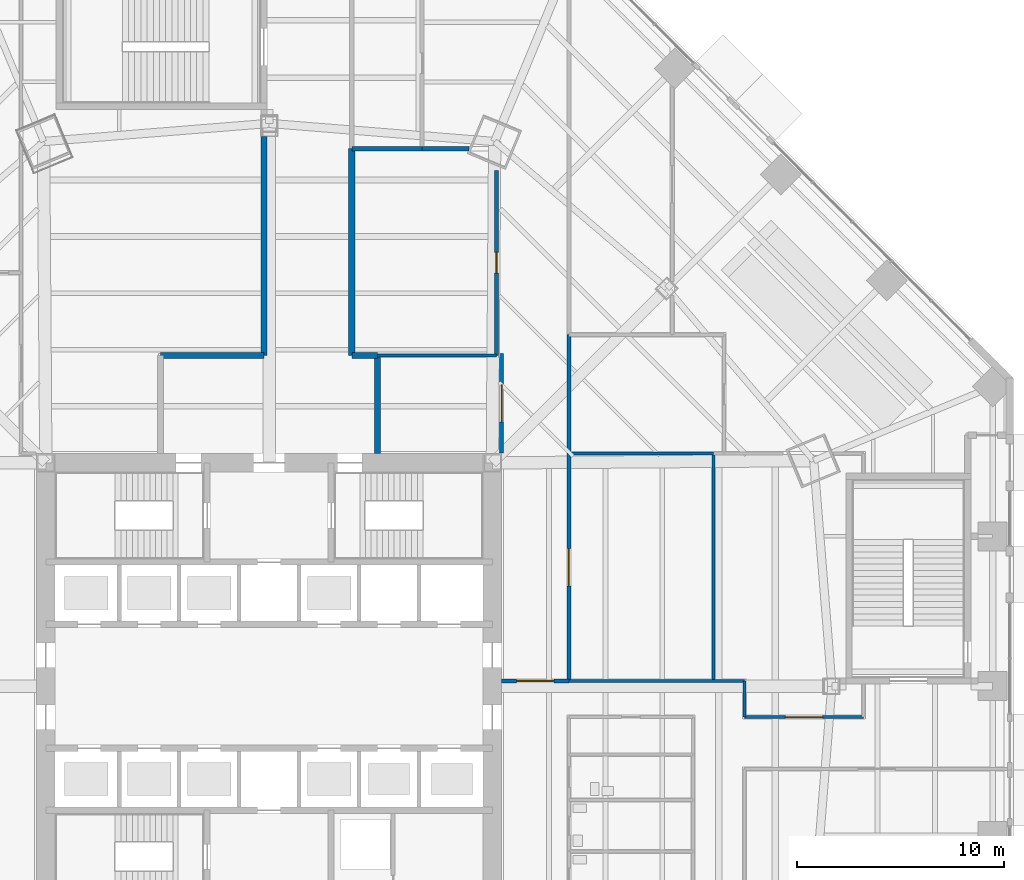
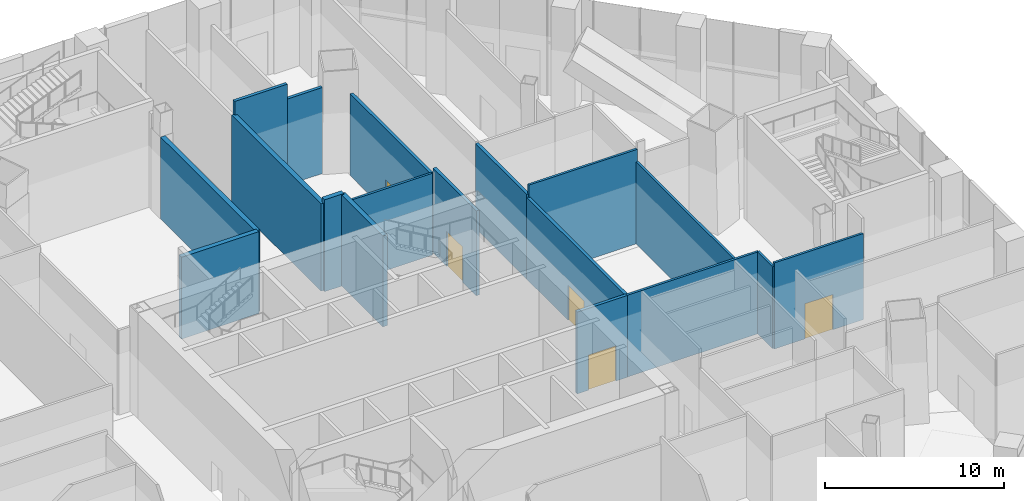
# One storey, part 23 of 35: 18 walls, 5 doors, 5 openings.
"""IFC4 building model written with IfcOpenShell, lengths in metres."""

from ifc_helpers import new_model, si_unit, direction, frame, frame_2d, origin, place, context, subcontext, project, spatial, rectangle, extrude, material, layer, layer_set, type_object, element, fill, save


model = new_model("IFC4")

# Units and contexts
model_context = context("Model", 3, precision=1e-05, world=origin(), true_north=direction((0.0, 1.0)))
body_context = subcontext(model_context, "Body", "Model", "MODEL_VIEW")
ifc_project = project(units=[si_unit("LENGTHUNIT", "METRE"), si_unit("AREAUNIT", "SQUARE_METRE"), si_unit("VOLUMEUNIT", "CUBIC_METRE"), si_unit("PLANEANGLEUNIT", "RADIAN"), si_unit("MASSUNIT", "GRAM", prefix="KILO")], contexts=[model_context])

# Site, building, storey
site_placement = place(None, origin())
site = spatial("IfcSite", under=ifc_project, at=site_placement, CompositionType="ELEMENT")
building_placement = place(site_placement, origin())
building = spatial("IfcBuilding", under=site, at=building_placement, Name="Mashrafa Tower", CompositionType="ELEMENT")
storey_placement = place(building_placement, origin())
storey = spatial("IfcBuildingStorey", under=building, at=storey_placement, Name="L00", CompositionType="ELEMENT", Elevation=0.0)

# Walls
ifc_material_1 = material(Name="Gypsum board on steel studs", Category="steel")
ifc_layer_1 = layer(ifc_material_1, 0.14990234375)
ifc_layer_set_1 = layer_set([ifc_layer_1], Name="Corridor partition 150 1 hr")
wall_type_1 = type_object("IfcWallType", Name="Corridor partition 150 1 hr", PredefinedType="PARTITIONING", material=ifc_layer_set_1)
wall_1_placement = place(storey_placement, frame((14.5, 0.25, 0.0), z_axis=(0.0, 0.0, 1.0), x_axis=(1.0, 0.0, 0.0)))
element("IfcWall", 1, at=wall_1_placement, inside=storey, type_object=wall_type_1, Name="Corridor wall L00-073", PredefinedType="PARTITIONING", context=body_context, shape_type="SweptSolid", body=[
    extrude(rectangle(XDim=8.5, YDim=0.14990234375, at=frame_2d((4.25, 0.0))), origin(), (0.0, 0.0, 1.0), 5.590087890625),
])
wall_2_placement = place(storey_placement, frame((23.0, 0.25, 0.0), z_axis=(0.0, 0.0, 1.0), x_axis=(0.0, -1.0, 0.0)))
element("IfcWall", 2, at=wall_2_placement, inside=storey, type_object=wall_type_1, Name="Corridor wall L00-079", PredefinedType="PARTITIONING", context=body_context, shape_type="SweptSolid", body=[
    extrude(rectangle(XDim=1.75, YDim=0.14990234375, at=frame_2d((0.875, 0.0))), origin(), (0.0, 0.0, 1.0), 5.590087890625),
])

# Wall, opening, door
wall_3_placement = place(storey_placement, frame((23.0, -1.5, 0.0), z_axis=(0.0, 0.0, 1.0), x_axis=(1.0, 0.0, 0.0)))
wall_3 = element("IfcWall", 3, at=wall_3_placement, inside=storey, type_object=wall_type_1, Name="Corridor wall L00-080", PredefinedType="PARTITIONING", context=body_context, shape_type="SweptSolid", body=[
    extrude(rectangle(XDim=5.75, YDim=0.14990234375, at=frame_2d((2.875, 0.0))), origin(), (0.0, 0.0, 1.0), 5.879150390625),
])
opening_1_placement = place(wall_3_placement, frame((1.97509765625, 0.0, 0.0)))
opening_1 = element("IfcOpeningElement", 4, at=opening_1_placement, cuts=wall_3, Name="Opening 00.018", PredefinedType="OPENING", context=body_context, shape_type="SweptSolid", body=[
    extrude(rectangle(XDim=1.800048828125, YDim=2.39990234375, at=frame_2d((0.89990234375, 1.199951171875))), frame((0.0, 0.0849609375, 0.0), z_axis=(0.0, -1.0, 0.0), x_axis=(1.0, 0.0, 0.0)), (0.0, 0.0, 1.0), 0.169921875),
])
ifc_material_2 = material(Name="Timber door", Category="wood")
door_type_1 = type_object("IfcDoorType", Name="Door pair 1800 x 2400", OperationType="DOUBLE_DOOR_SINGLE_SWING", PredefinedType="DOOR", material=ifc_material_2)
door_1_placement = place(opening_1_placement, origin())
door_1 = element("IfcDoor", 5, at=door_1_placement, inside=storey, type_object=door_type_1, Name="Retail Unit 006 door", OperationType="DOUBLE_DOOR_SINGLE_SWING", OverallHeight=2.39990234375, OverallWidth=1.800048828125, PredefinedType="DOOR", context=body_context, shape_type="SweptSolid", body=[
    extrude(rectangle(XDim=1.800048828125, YDim=2.39990234375, at=frame_2d((0.89990234375, 1.199951171875))), frame((0.0, 0.02490234375, 0.0), z_axis=(0.0, -1.0, 0.0), x_axis=(1.0, 0.0, 0.0)), (0.0, 0.0, 1.0), 0.050048828125),
])
fill(opening_1, door_1)

# Wall
ifc_material_3 = material(Name="Concrete masonry unit", Category="masonry")
ifc_layer_2 = layer(ifc_material_3, 0.199951171875)
ifc_layer_set_2 = layer_set([ifc_layer_2], Name="Fire barrier wall 200 1 hr")
wall_type_2 = type_object("IfcWallType", Name="Fire barrier wall 200 1 hr", PredefinedType="PARTITIONING", material=ifc_layer_set_2)
wall_4_placement = place(storey_placement, frame((4.0, 26.0, 0.0), z_axis=(0.0, 0.0, 1.0), x_axis=(1.0, 0.0, 0.0)))
element("IfcWall", 6, at=wall_4_placement, inside=storey, type_object=wall_type_2, Name="Fire wall L00-038", PredefinedType="PARTITIONING", context=body_context, shape_type="SweptSolid", body=[
    extrude(rectangle(XDim=3.39990234375, YDim=0.199951171875, at=frame_2d((1.699951171875, 0.0))), origin(), (0.0, 0.0, 1.0), 6.89990234375),
])

# Wall, opening, door
wall_5_placement = place(storey_placement, frame((11.25, 11.26904296875, 0.0), z_axis=(0.0, 0.0, 1.0), x_axis=(0.0, 1.0, 0.0)))
wall_5 = element("IfcWall", 7, at=wall_5_placement, inside=storey, type_object=wall_type_2, Name="Fire wall L00-061", PredefinedType="PARTITIONING", context=body_context, shape_type="SweptSolid", body=[
    extrude(rectangle(XDim=4.8310546875, YDim=0.199951171875, at=frame_2d((2.41552734375, 0.0))), origin(), (0.0, 0.0, 1.0), 5.7900390625),
])
opening_2_placement = place(wall_5_placement, frame((1.515380859375, 0.0, 0.0)))
opening_2 = element("IfcOpeningElement", 8, at=opening_2_placement, cuts=wall_5, Name="Opening 00.013", PredefinedType="OPENING", context=body_context, shape_type="SweptSolid", body=[
    extrude(rectangle(XDim=1.800048828125, YDim=2.39990234375, at=frame_2d((0.89990234375, 1.199951171875))), frame((0.0, 0.10986328125, 0.0), z_axis=(0.0, -1.0, 0.0), x_axis=(1.0, 0.0, 0.0)), (0.0, 0.0, 1.0), 0.219970703125),
])
ifc_material_4 = material(Name="Steel door", Category="steel")
door_type_2 = type_object("IfcDoorType", Name="Door pair 1800 x 2400 90 min", OperationType="DOUBLE_DOOR_SINGLE_SWING", PredefinedType="DOOR", material=ifc_material_4)
door_2_placement = place(opening_2_placement, origin())
door_2 = element("IfcDoor", 9, at=door_2_placement, inside=storey, type_object=door_type_2, Name="Office Visitor Lounge L00 door", OperationType="DOUBLE_DOOR_SINGLE_SWING", OverallHeight=2.39990234375, OverallWidth=1.800048828125, PredefinedType="DOOR", context=body_context, shape_type="SweptSolid", body=[
    extrude(rectangle(XDim=1.800048828125, YDim=2.39990234375, at=frame_2d((0.89990234375, 1.199951171875))), frame((0.0, 0.02490234375, 0.0), z_axis=(0.0, -1.0, 0.0), x_axis=(1.0, 0.0, 0.0)), (0.0, 0.0, 1.0), 0.050048828125),
])
fill(opening_2, door_2)

wall_6_placement = place(storey_placement, frame((11.0, 16.0, 0.0), z_axis=(0.0, 0.0, 1.0), x_axis=(0.0, 1.0, 0.0)))
wall_6 = element("IfcWall", 10, at=wall_6_placement, inside=storey, type_object=wall_type_2, Name="Fire wall L00-068", PredefinedType="PARTITIONING", context=body_context, shape_type="SweptSolid", body=[
    extrude(rectangle(XDim=8.956787109375, YDim=0.199951171875, at=frame_2d((4.478515625, 0.0))), origin(), (0.0, 0.0, 1.0), 5.590087890625),
])
opening_3_placement = place(wall_6_placement, frame((3.978271484375, 0.0, 0.0)))
opening_3 = element("IfcOpeningElement", 11, at=opening_3_placement, cuts=wall_6, Name="Opening 00.016", PredefinedType="OPENING", context=body_context, shape_type="SweptSolid", body=[
    extrude(rectangle(XDim=1.0, YDim=2.10009765625, at=frame_2d((0.5, 1.050048828125))), frame((0.0, 0.10986328125, 0.0), z_axis=(0.0, -1.0, 0.0), x_axis=(1.0, 0.0, 0.0)), (0.0, 0.0, 1.0), 0.219970703125),
])
ifc_material_5 = material(Name="Steel door", Category="steel")
door_type_3 = type_object("IfcDoorType", Name="Door 1000 x 2100 90 min", OperationType="USERDEFINED", PredefinedType="DOOR", material=ifc_material_5)
door_3_placement = place(opening_3_placement, origin())
door_3 = element("IfcDoor", 12, at=door_3_placement, inside=storey, type_object=door_type_3, Name="Security Control Room L00 door", OperationType="SINGLE_SWING_LEFT", OverallHeight=2.10009765625, OverallWidth=1.0, PredefinedType="DOOR", context=body_context, shape_type="SweptSolid", body=[
    extrude(rectangle(XDim=1.0, YDim=2.10009765625, at=frame_2d((0.5, 1.050048828125))), frame((0.0, 0.02490234375, 0.0), z_axis=(0.0, -1.0, 0.0), x_axis=(1.0, 0.0, 0.0)), (0.0, 0.0, 1.0), 0.050048828125),
])
fill(opening_3, door_3)

# Wall
wall_7_placement = place(storey_placement, frame((9.66650390625, 26.0, 0.0), z_axis=(0.0, 0.0, 1.0), x_axis=(-1.0, 0.0, 0.0)))
element("IfcWall", 13, at=wall_7_placement, inside=storey, type_object=wall_type_2, Name="Fire wall L00-069", PredefinedType="PARTITIONING", context=body_context, shape_type="SweptSolid", body=[
    extrude(rectangle(XDim=2.267578125, YDim=0.199951171875, at=frame_2d((1.1337890625, 0.0))), origin(), (0.0, 0.0, 1.0), 5.879150390625),
])

# Wall, opening, door
wall_8_placement = place(storey_placement, frame((14.5, 11.25, 0.0), z_axis=(0.0, 0.0, 1.0), x_axis=(0.0, -1.0, 0.0)))
wall_8 = element("IfcWall", 14, at=wall_8_placement, inside=storey, type_object=wall_type_2, Name="Fire wall L00-072", PredefinedType="PARTITIONING", context=body_context, shape_type="SweptSolid", body=[
    extrude(rectangle(XDim=11.0, YDim=0.199951171875, at=frame_2d((5.5, 0.0))), origin(), (0.0, 0.0, 1.0), 5.590087890625),
])
opening_4_placement = place(wall_8_placement, frame((4.60009765625, 0.0, 0.0)))
opening_4 = element("IfcOpeningElement", 15, at=opening_4_placement, cuts=wall_8, Name="Opening 00.017", PredefinedType="OPENING", context=body_context, shape_type="SweptSolid", body=[
    extrude(rectangle(XDim=1.800048828125, YDim=2.39990234375, at=frame_2d((0.89990234375, 1.199951171875))), frame((0.0, 0.10986328125, 0.0), z_axis=(0.0, -1.0, 0.0), x_axis=(1.0, 0.0, 0.0)), (0.0, 0.0, 1.0), 0.219970703125),
])
door_4_placement = place(opening_4_placement, origin())
door_4 = element("IfcDoor", 16, at=door_4_placement, inside=storey, type_object=door_type_2, Name="Concierge and Parcel Room L00 door", OperationType="DOUBLE_DOOR_SINGLE_SWING", OverallHeight=2.39990234375, OverallWidth=1.800048828125, PredefinedType="DOOR", context=body_context, shape_type="SweptSolid", body=[
    extrude(rectangle(XDim=1.800048828125, YDim=2.39990234375, at=frame_2d((0.89990234375, 1.199951171875))), frame((0.0, 0.02490234375, 0.0), z_axis=(0.0, -1.0, 0.0), x_axis=(1.0, 0.0, 0.0)), (0.0, 0.0, 1.0), 0.050048828125),
])
fill(opening_4, door_4)

# Wall
wall_9_placement = place(storey_placement, frame((14.5, 17.0, 0.0), z_axis=(0.0, 0.0, 1.0), x_axis=(0.0, -1.0, 0.0)))
element("IfcWall", 17, at=wall_9_placement, inside=storey, type_object=wall_type_2, Name="Fire wall L00-085", PredefinedType="PARTITIONING", context=body_context, shape_type="SweptSolid", body=[
    extrude(rectangle(XDim=5.75, YDim=0.199951171875, at=frame_2d((2.875, 0.0))), origin(), (0.0, 0.0, 1.0), 5.7900390625),
])

# Wall, opening, door
wall_10_placement = place(storey_placement, frame((11.25, 0.25, 0.0), z_axis=(0.0, 0.0, 1.0), x_axis=(1.0, 0.0, 0.0)))
wall_10 = element("IfcWall", 18, at=wall_10_placement, inside=storey, type_object=wall_type_2, Name="Fire wall L00-117", PredefinedType="PARTITIONING", context=body_context, shape_type="SweptSolid", body=[
    extrude(rectangle(XDim=3.25, YDim=0.199951171875, at=frame_2d((1.625, 0.0))), origin(), (0.0, 0.0, 1.0), 5.590087890625),
])
opening_5_placement = place(wall_10_placement, frame((0.72509765625, 0.0, 0.0)))
opening_5 = element("IfcOpeningElement", 19, at=opening_5_placement, cuts=wall_10, Name="Opening 00.030", PredefinedType="OPENING", context=body_context, shape_type="SweptSolid", body=[
    extrude(rectangle(XDim=1.800048828125, YDim=2.39990234375, at=frame_2d((0.89990234375, 1.199951171875))), frame((0.0, 0.10986328125, 0.0), z_axis=(0.0, -1.0, 0.0), x_axis=(1.0, 0.0, 0.0)), (0.0, 0.0, 1.0), 0.219970703125),
])
door_5_placement = place(opening_5_placement, frame((1.800048828125, 0.0, 0.0), z_axis=(0.0, 0.0, 1.0), x_axis=(-1.0, 0.0, 0.0)))
door_5 = element("IfcDoor", 20, at=door_5_placement, inside=storey, type_object=door_type_2, Name="Office Lobby door", OperationType="DOUBLE_DOOR_SINGLE_SWING", OverallHeight=2.39990234375, OverallWidth=1.800048828125, PredefinedType="DOOR", context=body_context, shape_type="SweptSolid", body=[
    extrude(rectangle(XDim=1.800048828125, YDim=2.39990234375, at=frame_2d((0.89990234375, 1.199951171875))), frame((0.0, 0.02490234375, 0.0), z_axis=(0.0, -1.0, 0.0), x_axis=(1.0, 0.0, 0.0)), (0.0, 0.0, 1.0), 0.050048828125),
])
fill(opening_5, door_5)

# Walls
ifc_material_6 = material(Name="Gypsum board on steel studs", Category="steel")
ifc_layer_3 = layer(ifc_material_6, 0.14990234375)
ifc_layer_set_3 = layer_set([ifc_layer_3], Name="Partition 150")
wall_type_3 = type_object("IfcWallType", Name="Partition 150", PredefinedType="PARTITIONING", material=ifc_layer_set_3)
wall_11_placement = place(storey_placement, frame((11.0009765625, 16.0, 0.0), z_axis=(0.0, 0.0, 1.0), x_axis=(-1.0, 0.0, 0.0)))
element("IfcWall", 21, at=wall_11_placement, inside=storey, type_object=wall_type_3, Name="Partition wall L00-060", PredefinedType="PARTITIONING", context=body_context, shape_type="SweptSolid", body=[
    extrude(rectangle(XDim=5.7509765625, YDim=0.14990234375, at=frame_2d((2.87548828125, 0.0))), origin(), (0.0, 0.0, 1.0), 5.590087890625),
])
wall_12_placement = place(storey_placement, frame((21.5, 0.25, 0.0), z_axis=(0.0, 0.0, 1.0), x_axis=(0.0, 1.0, 0.0)))
element("IfcWall", 22, at=wall_12_placement, inside=storey, type_object=wall_type_3, Name="Partition wall L00-070", PredefinedType="PARTITIONING", context=body_context, shape_type="SweptSolid", body=[
    extrude(rectangle(XDim=11.0, YDim=0.14990234375, at=frame_2d((5.5, 0.0))), origin(), (0.0, 0.0, 1.0), 5.590087890625),
])
wall_13_placement = place(storey_placement, frame((21.5, 11.25, 0.0), z_axis=(0.0, 0.0, 1.0), x_axis=(-1.0, 0.0, 0.0)))
element("IfcWall", 23, at=wall_13_placement, inside=storey, type_object=wall_type_3, Name="Partition wall L00-071", PredefinedType="PARTITIONING", context=body_context, shape_type="SweptSolid", body=[
    extrude(rectangle(XDim=7.0, YDim=0.14990234375, at=frame_2d((3.5, 0.0))), origin(), (0.0, 0.0, 1.0), 6.4404296875),
])
ifc_material_7 = material(Name="Concrete masonry unit", Category="masonry")
ifc_layer_4 = layer(ifc_material_7, 0.300048828125)
ifc_layer_set_4 = layer_set([ifc_layer_4], Name="Stair enclosure wall 300 2 hr")
wall_type_4 = type_object("IfcWallType", Name="Stair enclosure wall 300 2 hr", PredefinedType="PARTITIONING", material=ifc_layer_set_4)
wall_14_placement = place(storey_placement, frame((-0.25, 26.591796875, 0.0), z_axis=(0.0, 0.0, 1.0), x_axis=(0.0, -1.0, 0.0)))
element("IfcWall", 24, at=wall_14_placement, inside=storey, type_object=wall_type_4, Name="Stair wall L00-004", PredefinedType="PARTITIONING", context=body_context, shape_type="SweptSolid", body=[
    extrude(rectangle(XDim=10.591796875, YDim=0.300048828125, at=frame_2d((5.2958984375, 0.0))), origin(), (0.0, 0.0, 1.0), 5.590087890625),
])
wall_15_placement = place(storey_placement, frame((-0.25, 16.0, 0.0), z_axis=(0.0, 0.0, 1.0), x_axis=(-1.0, 0.0, 0.0)))
element("IfcWall", 25, at=wall_15_placement, inside=storey, type_object=wall_type_4, Name="Stair wall L00-005", PredefinedType="PARTITIONING", context=body_context, shape_type="SweptSolid", body=[
    extrude(rectangle(XDim=5.0, YDim=0.300048828125, at=frame_2d((2.5, 0.0))), origin(), (0.0, 0.0, 1.0), 5.590087890625),
])
wall_16_placement = place(storey_placement, frame((5.25, 11.25, 0.0), z_axis=(0.0, 0.0, 1.0), x_axis=(0.0, 1.0, 0.0)))
element("IfcWall", 26, at=wall_16_placement, inside=storey, type_object=wall_type_4, Name="Stair wall L00-007", PredefinedType="PARTITIONING", context=body_context, shape_type="SweptSolid", body=[
    extrude(rectangle(XDim=4.75, YDim=0.300048828125, at=frame_2d((2.375, 0.0))), origin(), (0.0, 0.0, 1.0), 6.2119140625),
])
wall_17_placement = place(storey_placement, frame((5.25, 16.0, 0.0), z_axis=(0.0, 0.0, 1.0), x_axis=(-1.0, 0.0, 0.0)))
element("IfcWall", 27, at=wall_17_placement, inside=storey, type_object=wall_type_4, Name="Stair wall L00-008", PredefinedType="PARTITIONING", context=body_context, shape_type="SweptSolid", body=[
    extrude(rectangle(XDim=1.25, YDim=0.300048828125, at=frame_2d((0.625, 0.0))), origin(), (0.0, 0.0, 1.0), 6.282958984375),
])
wall_18_placement = place(storey_placement, frame((4.0, 16.0, 0.0), z_axis=(0.0, 0.0, 1.0), x_axis=(0.0, 1.0, 0.0)))
element("IfcWall", 28, at=wall_18_placement, inside=storey, type_object=wall_type_4, Name="Stair wall L00-009", PredefinedType="PARTITIONING", context=body_context, shape_type="SweptSolid", body=[
    extrude(rectangle(XDim=10.0009765625, YDim=0.300048828125, at=frame_2d((5.00048828125, 0.0))), origin(), (0.0, 0.0, 1.0), 5.962890625),
])

save(model, "model.ifc")
